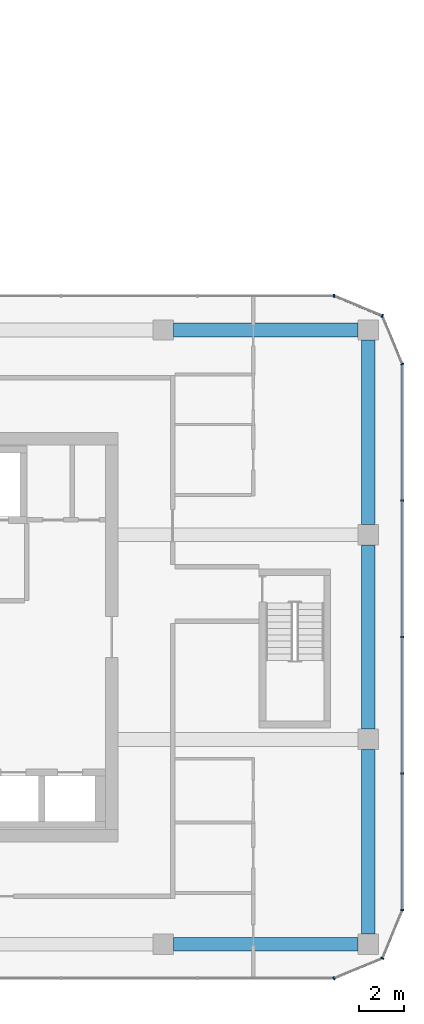
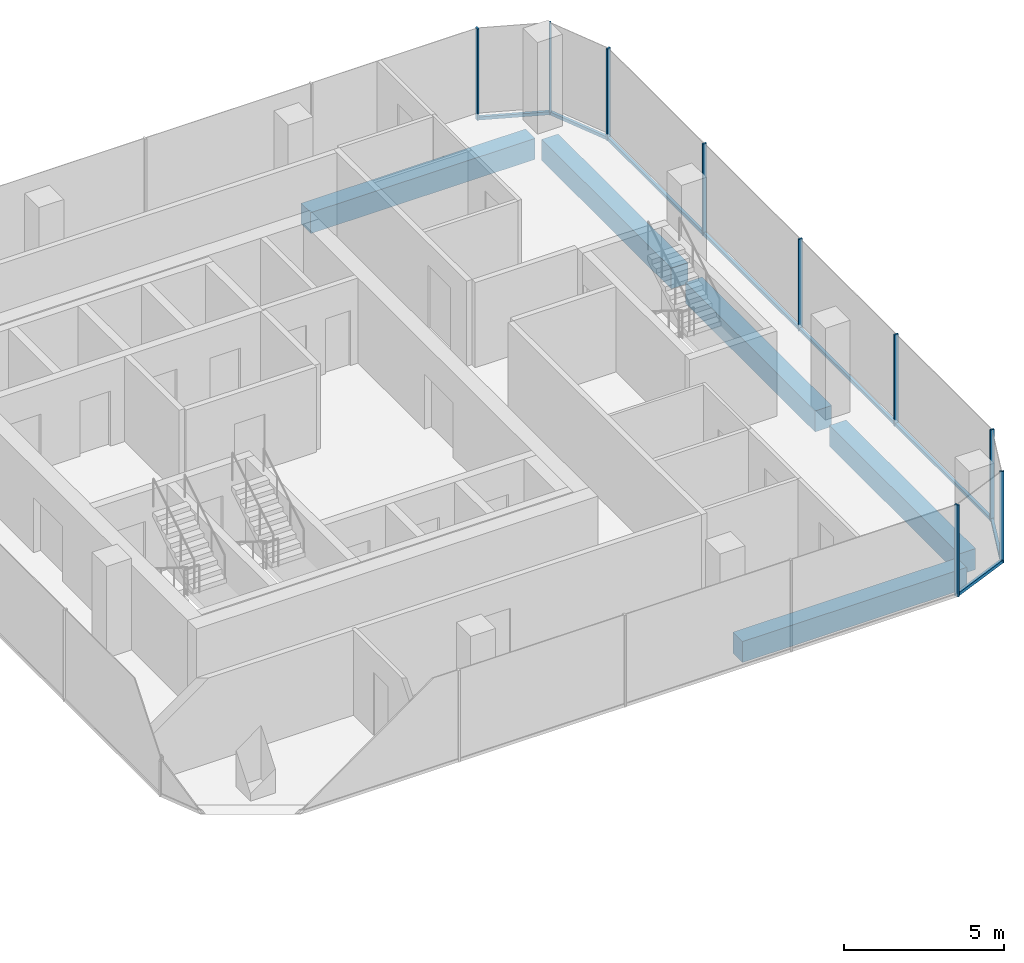
# One storey, part 10 of 23: 14 members, 5 beams, 6 elements without a shape of their own.
"""IFC4 building model written with IfcOpenShell, lengths in metres."""

import ifcopenshell
import ifcopenshell.guid

model = None  # the IFC model being written
_history = None  # IfcOwnerHistory: only IFC2X3 demands one
_inside = {}  # id of a spatial element -> (the spatial element, [elements in it])
_under = {}  # id of a project, library or spatial element -> (it, [spatial elements below it])
_declared = {}  # id of a project -> (the project, [libraries it declares])
_typed = {}  # id of a type object -> (the type object, [elements of that type])
_made_of = {}  # id of a material, layer set ... -> (it, [elements and type objects made of it])


def new_model(schema):
    """Start an empty IFC model of exactly this schema.

    Asked for "IFC4X3", IfcOpenShell would pick the latest addendum, in which some entities
    have other attributes; the version numbers below select the first issue.
    IFC2X3 requires an IfcOwnerHistory on every rooted entity: one is made here for all.
    """
    global model, _history
    if schema == "IFC4X3":
        model = ifcopenshell.file(schema_version=(4, 3, 0, 0))
    else:
        model = ifcopenshell.file(schema=schema)
    _inside.clear()
    _under.clear()
    _declared.clear()
    _typed.clear()
    _made_of.clear()
    _history = None
    if model.schema == "IFC2X3":
        org = make("IfcOrganization", Name="unknown")
        user = make(
            "IfcPersonAndOrganization",
            ThePerson=make("IfcPerson", FamilyName="unknown"),
            TheOrganization=org,
        )
        app = make(
            "IfcApplication",
            ApplicationDeveloper=org,
            Version="unknown",
            ApplicationFullName="unknown",
            ApplicationIdentifier="unknown",
        )
        _history = make(
            "IfcOwnerHistory",
            OwningUser=user,
            OwningApplication=app,
            ChangeAction="ADDED",
            CreationDate=0,
        )
    return model


def make(cls, **values):
    """One entity of the class cls with the attributes given. An attribute that is None is left unset."""
    return model.create_entity(
        cls, **{name: value for name, value in values.items() if value is not None}
    )


def rooted(cls, **values):
    """An entity with a GlobalId (a new one), such as an element, a storey or a relation."""
    return make(cls, GlobalId=ifcopenshell.guid.new(), OwnerHistory=_history, **values)


def si_unit(unit_type, name, prefix=None):
    """IfcSIUnit, for example si_unit("LENGTHUNIT", "METRE", prefix="MILLI")."""
    return make("IfcSIUnit", UnitType=unit_type, Prefix=prefix, Name=name)


def assignment(units):
    """IfcUnitAssignment: the units of a project."""
    return None if units is None else make("IfcUnitAssignment", Units=units)


def point(xyz):
    """IfcCartesianPoint."""
    return None if xyz is None else make("IfcCartesianPoint", Coordinates=xyz)


def direction(xyz):
    """IfcDirection."""
    return None if xyz is None else make("IfcDirection", DirectionRatios=xyz)


def frame(location, z_axis=None, x_axis=None):
    """IfcAxis2Placement3D, a coordinate frame: its origin and axes. An axis left out is left unset."""
    return make(
        "IfcAxis2Placement3D",
        Location=point(location),
        Axis=direction(z_axis),
        RefDirection=direction(x_axis),
    )


def frame_2d(location, x_axis=None):
    """IfcAxis2Placement2D, a coordinate frame in the plane: its origin and x axis."""
    return make(
        "IfcAxis2Placement2D", Location=point(location), RefDirection=direction(x_axis)
    )


def origin():
    """The frame at (0, 0, 0) with its axes left unset."""
    return frame((0.0, 0.0, 0.0))


def origin_2d():
    """The frame at (0, 0) in the plane with its x axis left unset."""
    return frame_2d((0.0, 0.0))


def place(relative_to, where):
    """IfcLocalPlacement: puts the frame where relative to a parent placement (None: the world)."""
    return make(
        "IfcLocalPlacement", PlacementRelTo=relative_to, RelativePlacement=where
    )


def context(
    kind, dimensions, precision=None, world=None, true_north=None, identifier=None
):
    """IfcGeometricRepresentationContext, for example the 3D "Model" context."""
    return make(
        "IfcGeometricRepresentationContext",
        ContextIdentifier=identifier,
        ContextType=kind,
        CoordinateSpaceDimension=dimensions,
        Precision=precision,
        WorldCoordinateSystem=world,
        TrueNorth=true_north,
    )


def subcontext(parent, identifier, kind, view, scale=None):
    """IfcGeometricRepresentationSubContext, for example "Body" below "Model"."""
    return make(
        "IfcGeometricRepresentationSubContext",
        ContextIdentifier=identifier,
        ContextType=kind,
        ParentContext=parent,
        TargetScale=scale,
        TargetView=view,
    )


def project(units=None, contexts=None):
    """IfcProject with its units and contexts."""
    return rooted(
        "IfcProject",
        Name="project",
        RepresentationContexts=contexts,
        UnitsInContext=assignment(units),
    )


def spatial(cls, under=None, at=None, **own):
    """A site, building, storey or space (cls), placed at a placement, below another one or the project."""
    s = rooted(cls, ObjectPlacement=at, **own)
    if under is not None:
        _under.setdefault(under.id(), (under, []))[1].append(s)
    return s


def profile(cls, at=None, kind="AREA", **sizes):
    """A parametric profile (cls). Its sizes go by their IFC names, for example OverallWidth=200.0."""
    return make(cls, ProfileType=kind, Position=at, **sizes)


def rectangle(**sizes):
    """IfcRectangleProfileDef."""
    return profile("IfcRectangleProfileDef", **sizes)


def extrude(swept, where, along, depth):
    """IfcExtrudedAreaSolid: the profile swept, set in the frame where, extruded along a direction by depth."""
    return make(
        "IfcExtrudedAreaSolid",
        SweptArea=swept,
        Position=where,
        ExtrudedDirection=direction(along),
        Depth=depth,
    )


def shape(context_of_items, identifier, shape_type, items):
    """IfcShapeRepresentation: the items that make up one representation, for example the "Body"."""
    return make(
        "IfcShapeRepresentation",
        ContextOfItems=context_of_items,
        RepresentationIdentifier=identifier,
        RepresentationType=shape_type,
        Items=items,
    )


def material(Name=None, Category=None):
    """IfcMaterial."""
    return make("IfcMaterial", Name=Name, Category=Category)


def layer(
    of_material, thickness, ventilated=None, Name=None, Category=None, Priority=None
):
    """IfcMaterialLayer: one layer of a wall or slab, of a material (None: an air gap)."""
    return make(
        "IfcMaterialLayer",
        Material=of_material,
        LayerThickness=thickness,
        IsVentilated=ventilated,
        Name=Name,
        Category=Category,
        Priority=Priority,
    )


def layer_set(layers, Name=None):
    """IfcMaterialLayerSet."""
    return make("IfcMaterialLayerSet", MaterialLayers=layers, LayerSetName=Name)


def material_profile(
    of_material, cross_section, Name=None, Category=None, Priority=None
):
    """IfcMaterialProfile: a cross section and its material."""
    return make(
        "IfcMaterialProfile",
        Name=Name,
        Material=of_material,
        Profile=cross_section,
        Priority=Priority,
        Category=Category,
    )


def profile_set(profiles, Name=None, composite=None):
    """IfcMaterialProfileSet."""
    return make(
        "IfcMaterialProfileSet",
        Name=Name,
        MaterialProfiles=profiles,
        CompositeProfile=composite,
    )


def made_of(thing, what):
    """Note that an element or type object is made of a material, layer set ...; save() writes the relation."""
    if what is not None:
        _made_of.setdefault(what.id(), (what, []))[1].append(thing)
    return thing


def type_object(cls, material=None, **own):
    """A type object (cls), such as IfcWallType, which elements share."""
    return made_of(rooted(cls, **own), material)


def element(
    cls,
    number,
    at=None,
    inside=None,
    cuts=None,
    type_object=None,
    material=None,
    context=None,
    identifier="Body",
    shape_type=None,
    held_by="IfcProductDefinitionShape",
    body=None,
    shapes=None,
    **own,
):
    """One element of the class cls, such as IfcWall. Its Tag is "e" and its number.

    at: its placement. inside: the storey or other place that contains it. cuts: it is an
    opening in that element (IfcRelVoidsElement). A single representation is given by context,
    identifier, shape_type and body (its items); several are given by shapes. held_by: the class
    of the entity that holds the representations. save() writes the other relations.
    """
    e = rooted(cls, Tag="e%d" % number, ObjectPlacement=at, **own)
    if body is not None:
        shapes = [shape(context, identifier, shape_type, body)]
    if shapes is not None:
        e.Representation = make(held_by, Representations=shapes)
    if inside is not None:
        _inside.setdefault(inside.id(), (inside, []))[1].append(e)
    if cuts is not None:
        rooted(
            "IfcRelVoidsElement", RelatingBuildingElement=cuts, RelatedOpeningElement=e
        )
    if type_object is not None:
        _typed.setdefault(type_object.id(), (type_object, []))[1].append(e)
    return made_of(e, material)


def aggregate(whole, parts):
    """IfcRelAggregates: a whole, such as a stair, and the parts it consists of."""
    return rooted("IfcRelAggregates", RelatingObject=whole, RelatedObjects=parts)


def save(model, path):
    """Write the relations noted so far, then the file.

    IfcRelAggregates (storeys below a building ...), IfcRelContainedInSpatialStructure (elements
    in a storey), IfcRelDefinesByType, IfcRelAssociatesMaterial and IfcRelDeclares: one each for
    every whole, place, type object, material and project.
    """
    for whole, parts in _under.values():
        aggregate(whole, parts)
    for where, things in _inside.values():
        rooted(
            "IfcRelContainedInSpatialStructure",
            RelatedElements=things,
            RelatingStructure=where,
        )
    for kind, things in _typed.values():
        rooted("IfcRelDefinesByType", RelatedObjects=things, RelatingType=kind)
    for what, things in _made_of.values():
        rooted("IfcRelAssociatesMaterial", RelatedObjects=things, RelatingMaterial=what)
    for by, libraries in _declared.values():
        rooted("IfcRelDeclares", RelatingContext=by, RelatedDefinitions=libraries)
    model.write(path)


model = new_model("IFC4")

# Units and contexts
model_context = context("Model", 3, precision=1e-05, world=origin(), true_north=direction((0.0, 1.0)))
body_context = subcontext(model_context, "Body", "Model", "MODEL_VIEW")
ifc_project = project(units=[si_unit("LENGTHUNIT", "METRE"), si_unit("AREAUNIT", "SQUARE_METRE"), si_unit("VOLUMEUNIT", "CUBIC_METRE"), si_unit("PLANEANGLEUNIT", "RADIAN"), si_unit("MASSUNIT", "GRAM", prefix="KILO")], contexts=[model_context])

# Site, building, storey
site_placement = place(None, origin())
site = spatial("IfcSite", under=ifc_project, at=site_placement, CompositionType="ELEMENT")
building_placement = place(site_placement, origin())
building = spatial("IfcBuilding", under=site, at=building_placement, Name="Plateau Cross Towers", CompositionType="ELEMENT")
storey_placement = place(building_placement, frame((0.0, 0.0, 33.800048828125)))
storey = spatial("IfcBuildingStorey", under=building, at=storey_placement, Name="L07", CompositionType="ELEMENT", Elevation=33.800048828125)

# Curtain wall, member
ifc_material_1 = material(Name="Dark low-iron glass", Category="glass")
ifc_layer = layer(ifc_material_1, 0.239990234375)
ifc_layer_set = layer_set([ifc_layer], Name="Dark low-iron glass")
curtain_wall_type = type_object("IfcCurtainWallType", Name="Curtain wall office unitised CW-F", PredefinedType="NOTDEFINED", material=ifc_layer_set)
curtain_wall_1_placement = place(storey_placement, origin())
curtain_wall_1 = element("IfcCurtainWall", 1, at=curtain_wall_1_placement, inside=storey, type_object=curtain_wall_type, Name="ENV/B/L07/B990_-60", PredefinedType="NOTDEFINED")
ifc_material_2 = material(Name="Black anodised aluminium", Category="aluminium")
ifc_material_profile_1 = material_profile(ifc_material_2, rectangle(XDim=0.06005859375, YDim=0.139892578125, at=origin_2d()), Name="MULLION 60x140")
ifc_profile_set_1 = profile_set([ifc_material_profile_1], Name="Black anodised aluminium")
member_type_1 = type_object("IfcMemberType", Name="Mullion 60x140 office unitised", PredefinedType="MULLION", material=ifc_profile_set_1)
member_1_placement = place(storey_placement, frame((99.0, -6.0, -0.25), z_axis=(0.0, 0.0, 1.0), x_axis=(0.923879457699, 0.382683612978, 0.0)))
member_1 = element("IfcMember", 2, at=member_1_placement, type_object=member_type_1, Name="CW-F mullion 1", PredefinedType="MULLION", context=body_context, shape_type="SweptSolid", body=[
    extrude(rectangle(XDim=0.06005859375, YDim=0.139892578125, at=origin_2d()), origin(), (0.0, 0.0, 1.0), 3.5),
])

curtain_wall_2_placement = place(storey_placement, origin())
curtain_wall_2 = element("IfcCurtainWall", 3, at=curtain_wall_2_placement, inside=storey, type_object=curtain_wall_type, Name="ENV/B/L07/B1011_-51", PredefinedType="NOTDEFINED")
member_2_placement = place(storey_placement, frame((101.121337890625, -5.121337890625, -0.25), z_axis=(0.0, 0.0, 1.0), x_axis=(0.382683612978, 0.923879457699, 0.0)))
member_2 = element("IfcMember", 4, at=member_2_placement, type_object=member_type_1, Name="CW-F mullion 1", PredefinedType="MULLION", context=body_context, shape_type="SweptSolid", body=[
    extrude(rectangle(XDim=0.06005859375, YDim=0.139892578125, at=origin_2d()), origin(), (0.0, 0.0, 1.0), 3.5),
])

# Curtain wall, members
curtain_wall_3_placement = place(storey_placement, origin())
curtain_wall_3 = element("IfcCurtainWall", 5, at=curtain_wall_3_placement, inside=storey, type_object=curtain_wall_type, Name="ENV/B/L07/B1020_-30", PredefinedType="NOTDEFINED")
member_3_placement = place(storey_placement, frame((102.0, -3.0, -0.25), z_axis=(0.0, 0.0, 1.0), x_axis=(0.0, 1.0, 0.0)))
member_3 = element("IfcMember", 6, at=member_3_placement, type_object=member_type_1, Name="CW-F mullion 1", PredefinedType="MULLION", context=body_context, shape_type="SweptSolid", body=[
    extrude(rectangle(XDim=0.06005859375, YDim=0.139892578125, at=origin_2d()), origin(), (0.0, 0.0, 1.0), 3.5),
])
member_4_placement = place(storey_placement, frame((102.0, 3.0, -0.25), z_axis=(0.0, 0.0, 1.0), x_axis=(0.0, 1.0, 0.0)))
member_4 = element("IfcMember", 7, at=member_4_placement, type_object=member_type_1, Name="CW-F mullion 2", PredefinedType="MULLION", context=body_context, shape_type="SweptSolid", body=[
    extrude(rectangle(XDim=0.06005859375, YDim=0.139892578125, at=origin_2d()), origin(), (0.0, 0.0, 1.0), 3.5),
])
member_5_placement = place(storey_placement, frame((102.0, 9.0, -0.25), z_axis=(0.0, 0.0, 1.0), x_axis=(0.0, 1.0, 0.0)))
member_5 = element("IfcMember", 8, at=member_5_placement, type_object=member_type_1, Name="CW-F mullion 3", PredefinedType="MULLION", context=body_context, shape_type="SweptSolid", body=[
    extrude(rectangle(XDim=0.06005859375, YDim=0.139892578125, at=origin_2d()), origin(), (0.0, 0.0, 1.0), 3.5),
])
member_6_placement = place(storey_placement, frame((102.0, 15.0, -0.25), z_axis=(0.0, 0.0, 1.0), x_axis=(0.0, 1.0, 0.0)))
member_6 = element("IfcMember", 9, at=member_6_placement, type_object=member_type_1, Name="CW-F mullion 4", PredefinedType="MULLION", context=body_context, shape_type="SweptSolid", body=[
    extrude(rectangle(XDim=0.06005859375, YDim=0.139892578125, at=origin_2d()), origin(), (0.0, 0.0, 1.0), 3.5),
])

# Curtain wall, member
curtain_wall_4_placement = place(storey_placement, origin())
curtain_wall_4 = element("IfcCurtainWall", 10, at=curtain_wall_4_placement, inside=storey, type_object=curtain_wall_type, Name="ENV/B/L07/B1020_210", PredefinedType="NOTDEFINED")
member_7_placement = place(storey_placement, frame((102.0, 21.0, -0.25), z_axis=(0.0, 0.0, 1.0), x_axis=(-0.382683612978, 0.923879457699, 0.0)))
member_7 = element("IfcMember", 11, at=member_7_placement, type_object=member_type_1, Name="CW-F mullion 1", PredefinedType="MULLION", context=body_context, shape_type="SweptSolid", body=[
    extrude(rectangle(XDim=0.06005859375, YDim=0.139892578125, at=origin_2d()), origin(), (0.0, 0.0, 1.0), 3.5),
])

curtain_wall_5_placement = place(storey_placement, origin())
curtain_wall_5 = element("IfcCurtainWall", 12, at=curtain_wall_5_placement, inside=storey, type_object=curtain_wall_type, Name="ENV/B/L07/B1011_231", PredefinedType="NOTDEFINED")
member_8_placement = place(storey_placement, frame((101.121337890625, 23.121337890625, -0.25), z_axis=(0.0, 0.0, 1.0), x_axis=(-0.923879457699, 0.382683612978, 0.0)))
member_8 = element("IfcMember", 13, at=member_8_placement, type_object=member_type_1, Name="CW-F mullion 1", PredefinedType="MULLION", context=body_context, shape_type="SweptSolid", body=[
    extrude(rectangle(XDim=0.06005859375, YDim=0.139892578125, at=origin_2d()), origin(), (0.0, 0.0, 1.0), 3.5),
])

curtain_wall_6_placement = place(storey_placement, origin())
curtain_wall_6 = element("IfcCurtainWall", 14, at=curtain_wall_6_placement, inside=storey, type_object=curtain_wall_type, Name="ENV/B/L07/B990_240", PredefinedType="NOTDEFINED")
member_9_placement = place(storey_placement, frame((99.0, 24.0, -0.25), z_axis=(0.0, 0.0, 1.0), x_axis=(-1.0, 0.0, 0.0)))
member_9 = element("IfcMember", 15, at=member_9_placement, type_object=member_type_1, Name="CW-F mullion 1", PredefinedType="MULLION", context=body_context, shape_type="SweptSolid", body=[
    extrude(rectangle(XDim=0.06005859375, YDim=0.139892578125, at=origin_2d()), origin(), (0.0, 0.0, 1.0), 3.5),
])
aggregate(curtain_wall_6, [member_9])

# Beams
ifc_material_3 = material(Name="Concrete C60/75", Category="concrete")
ifc_material_profile_2 = material_profile(ifc_material_3, rectangle(XDim=0.60009765625, YDim=0.800048828125, at=origin_2d()), Name="RC 600x800")
ifc_profile_set_2 = profile_set([ifc_material_profile_2], Name="Concrete C60/75")
beam_type = type_object("IfcBeamType", Name="Ring beam RC 600x800", PredefinedType="BEAM", material=ifc_profile_set_2)
for number, where, z_axis, x_axis, name in (
    (16, (91.949951171875, -4.5, -0.650146484375), (1.0, 0.0, 0.0), (0.0, 1.0, 0.0), "B-RB02@L07"),
    (17, (100.5, -4.050048828125, -0.650146484375), (0.0, 1.0, 0.0), (-1.0, 0.0, 0.0), "B-RB03@L07"),
    (18, (100.5, 4.949951171875, -0.650146484375), (0.0, 1.0, 0.0), (-1.0, 0.0, 0.0), "B-RB04@L07"),
    (19, (100.5, 13.949951171875, -0.650146484375), (0.0, 1.0, 0.0), (-1.0, 0.0, 0.0), "B-RB05@L07"),
    (20, (100.050048828125, 22.5, -0.650146484375), (-1.0, 0.0, 0.0), (0.0, -1.0, 0.0), "B-RB06@L07"),
):
    element("IfcBeam", number, at=place(storey_placement, frame(where, z_axis=z_axis, x_axis=x_axis)), inside=storey, type_object=beam_type, Name=name, PredefinedType="BEAM", context=body_context, shape_type="SweptSolid", body=[
        extrude(rectangle(XDim=0.60009765625, YDim=0.800048828125, at=origin_2d()), origin(), (0.0, 0.0, 1.0), 8.10009765625),
    ])

# Member
ifc_material_profile_3 = material_profile(ifc_material_2, rectangle(XDim=0.10009765625, YDim=0.1201171875, at=origin_2d()), Name="TRANSOM 100x120")
ifc_profile_set_3 = profile_set([ifc_material_profile_3], Name="Black anodised aluminium")
member_type_2 = type_object("IfcMemberType", Name="Transom 100x120 office unitised", PredefinedType="USERDEFINED", material=ifc_profile_set_3)
member_10_placement = place(storey_placement, frame((99.0, -6.0, -0.18994140625), z_axis=(0.923883353507, 0.382674207535, 0.0), x_axis=(-0.382674207535, 0.923883353507, 0.0)))
member_10 = element("IfcMember", 21, at=member_10_placement, type_object=member_type_2, Name="CW-F transom", ObjectType="TRANSOM", PredefinedType="USERDEFINED", context=body_context, shape_type="SweptSolid", body=[
    extrude(rectangle(XDim=0.10009765625, YDim=0.1201171875, at=origin_2d()), origin(), (0.0, 0.0, 1.0), 2.296142578125),
])

aggregate(curtain_wall_1, [member_1, member_10])

member_11_placement = place(storey_placement, frame((101.121337890625, -5.121337890625, -0.18994140625), z_axis=(0.382674207535, 0.923883353507, 0.0), x_axis=(-0.923883353507, 0.382674207535, 0.0)))
member_11 = element("IfcMember", 22, at=member_11_placement, type_object=member_type_2, Name="CW-F transom", ObjectType="TRANSOM", PredefinedType="USERDEFINED", context=body_context, shape_type="SweptSolid", body=[
    extrude(rectangle(XDim=0.10009765625, YDim=0.1201171875, at=origin_2d()), origin(), (0.0, 0.0, 1.0), 2.296142578125),
])

aggregate(curtain_wall_2, [member_2, member_11])

member_12_placement = place(storey_placement, frame((102.0, -3.0, -0.18994140625), z_axis=(0.0, 1.0, 0.0), x_axis=(-1.0, 0.0, 0.0)))
member_12 = element("IfcMember", 23, at=member_12_placement, type_object=member_type_2, Name="CW-F transom", ObjectType="TRANSOM", PredefinedType="USERDEFINED", context=body_context, shape_type="SweptSolid", body=[
    extrude(rectangle(XDim=0.10009765625, YDim=0.1201171875, at=origin_2d()), origin(), (0.0, 0.0, 1.0), 24.0),
])

aggregate(curtain_wall_3, [member_3, member_4, member_5, member_6, member_12])

member_13_placement = place(storey_placement, frame((102.0, 21.0, -0.18994140625), z_axis=(-0.382674207535, 0.923883353507, 0.0), x_axis=(-0.923883353507, -0.382674207535, 0.0)))
member_13 = element("IfcMember", 24, at=member_13_placement, type_object=member_type_2, Name="CW-F transom", ObjectType="TRANSOM", PredefinedType="USERDEFINED", context=body_context, shape_type="SweptSolid", body=[
    extrude(rectangle(XDim=0.10009765625, YDim=0.1201171875, at=origin_2d()), origin(), (0.0, 0.0, 1.0), 2.296142578125),
])

aggregate(curtain_wall_4, [member_7, member_13])

member_14_placement = place(storey_placement, frame((101.121337890625, 23.121337890625, -0.18994140625), z_axis=(-0.923883353507, 0.382674207535, 0.0), x_axis=(-0.382674207535, -0.923883353507, 0.0)))
member_14 = element("IfcMember", 25, at=member_14_placement, type_object=member_type_2, Name="CW-F transom", ObjectType="TRANSOM", PredefinedType="USERDEFINED", context=body_context, shape_type="SweptSolid", body=[
    extrude(rectangle(XDim=0.10009765625, YDim=0.1201171875, at=origin_2d()), origin(), (0.0, 0.0, 1.0), 2.296142578125),
])

aggregate(curtain_wall_5, [member_8, member_14])

save(model, "model.ifc")
